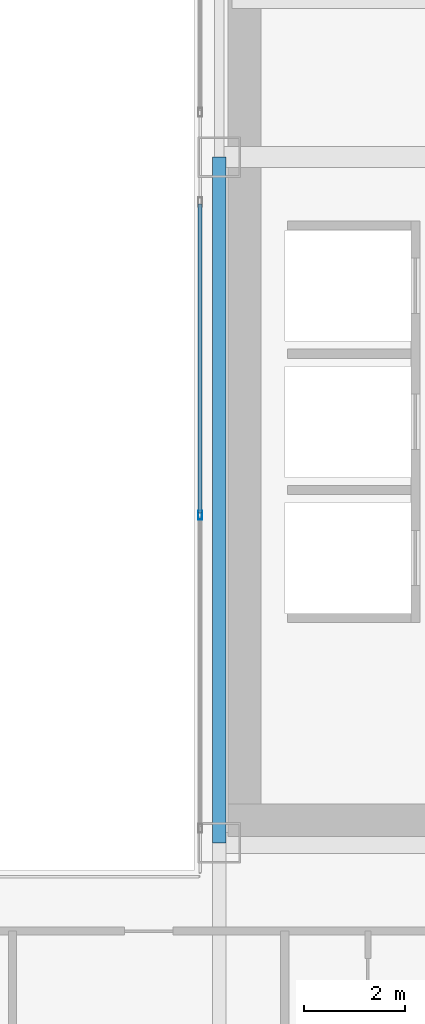
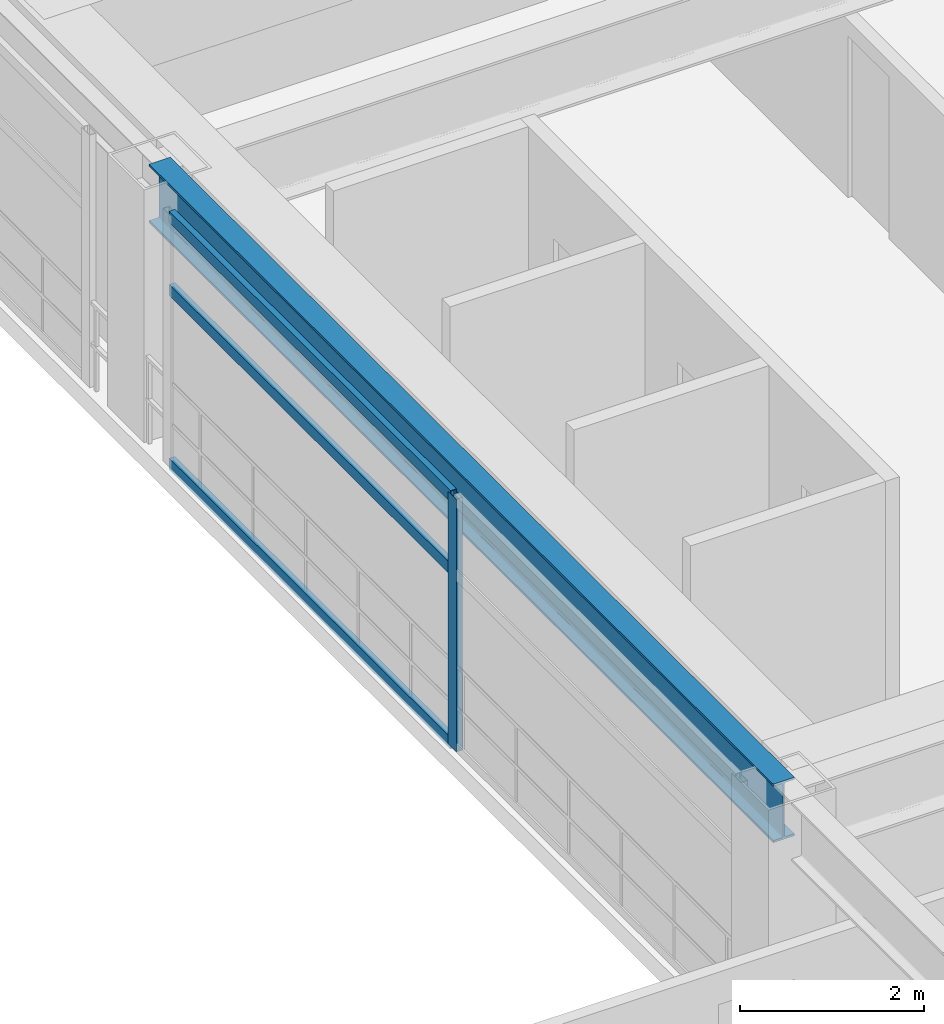
# One storey, part 15 of 39: 4 members, 1 beam, 1 element without a shape of its own.
"""IFC4 building model written with IfcOpenShell, lengths in metres."""

from ifc_helpers import new_model, si_unit, direction, frame, origin, origin_2d, place, context, subcontext, project, spatial, hollow_rectangle, i_section, extrude, source, transform, mapped, material, layer, layer_set, material_profile, profile_set, type_object, element, aggregate, save


model = new_model("IFC4")

# Units and contexts
model_context = context("Model", 3, precision=1e-05, world=origin(), true_north=direction((0.0, 1.0)))
body_context = subcontext(model_context, "Body", "Model", "MODEL_VIEW")
ifc_project = project(units=[si_unit("LENGTHUNIT", "METRE"), si_unit("AREAUNIT", "SQUARE_METRE"), si_unit("VOLUMEUNIT", "CUBIC_METRE"), si_unit("PLANEANGLEUNIT", "RADIAN"), si_unit("MASSUNIT", "GRAM", prefix="KILO")], contexts=[model_context])

# Site, building, storey
site_placement = place(None, origin())
site = spatial("IfcSite", under=ifc_project, at=site_placement, CompositionType="ELEMENT")
building_placement = place(site_placement, origin())
building = spatial("IfcBuilding", under=site, at=building_placement, Name="Ocotamira Hotel", CompositionType="ELEMENT")
storey_placement = place(building_placement, frame((0.0, 0.0, 126.0)))
storey = spatial("IfcBuildingStorey", under=building, at=storey_placement, Name="L31", CompositionType="ELEMENT", Elevation=126.0)

# Beam
ifc_material_1 = material(Name="Steel ASTM A992 Grade 50", Category="steel")
ifc_material_profile_1 = material_profile(ifc_material_1, i_section(OverallWidth=0.26611328125, OverallDepth=0.779052734375, WebThickness=0.0166015625, FlangeThickness=0.030029296875, FilletRadius=0.01806640625, at=origin_2d()), Name="W30X148")
ifc_profile_set_1 = profile_set([ifc_material_profile_1], Name="Steel ASTM A992 Grade 50")
beam_type = type_object("IfcBeamType", Name="BM-GIRD-W30X148", PredefinedType="BEAM", material=ifc_profile_set_1)
shared_shape_1 = source(origin(), body_context, "Body", "SweptSolid", [
    extrude(i_section(OverallWidth=0.26611328125, OverallDepth=0.779052734375, WebThickness=0.0166015625, FlangeThickness=0.030029296875, FilletRadius=0.01806640625, at=origin_2d()), origin(), (0.0, 0.0, 1.0), 13.599853515625),
])
beam_placement = place(storey_placement, frame((40.5, 14.550048828125, 2.970458984375), z_axis=(0.0, 1.0, 0.0), x_axis=(-1.0, 0.0, 0.0)))
element("IfcBeam", 1, at=beam_placement, inside=storey, type_object=beam_type, Name="L31 Beam X40.5 Y14.55-28.15", PredefinedType="BEAM", context=body_context, shape_type="MappedRepresentation", body=[
    mapped(shared_shape_1, transform((0.0, 0.0, 0.0), scale=1.0)),
])

# Curtain wall, members
ifc_material_2 = material(Name="Anodised pale-metal aluminium and solar glass", Category="aluminium")
ifc_layer = layer(ifc_material_2, 0.159912109375)
ifc_layer_set = layer_set([ifc_layer], Name="Anodised pale-metal aluminium and solar glass")
curtain_wall_type = type_object("IfcCurtainWallType", Name="CW-SYS6-ATR", PredefinedType="NOTDEFINED", material=ifc_layer_set)
curtain_wall_placement = place(storey_placement, origin())
curtain_wall = element("IfcCurtainWall", 2, at=curtain_wall_placement, inside=storey, type_object=curtain_wall_type, Name="L31 Curtain Wall CW-6 CW-L31-ATRE1", PredefinedType="NOTDEFINED")
ifc_material_3 = material(Name="Anodised pale-metal aluminium 6063-T6", Category="aluminium")
ifc_material_profile_2 = material_profile(ifc_material_3, hollow_rectangle(XDim=0.074951171875, YDim=0.14990234375, WallThickness=0.006103515625, at=origin_2d()), Name="HSS150X75X6")
ifc_profile_set_2 = profile_set([ifc_material_profile_2], Name="Anodised pale-metal aluminium 6063-T6")
member_type_1 = type_object("IfcMemberType", Name="CWT-150X75", PredefinedType="USERDEFINED", material=ifc_profile_set_2)
shared_shape_2 = source(origin(), body_context, "Body", "SweptSolid", [
    extrude(hollow_rectangle(XDim=0.074951171875, YDim=0.14990234375, WallThickness=0.006103515625, at=origin_2d()), origin(), (0.0, 0.0, 1.0), 6.1298828125),
])
member_1_placement = place(storey_placement, frame((40.1201171875, 21.090087890625, 0.03759765625), z_axis=(0.0, 1.0, 0.0), x_axis=(-1.0, 0.0, 0.0)))
member_1 = element("IfcMember", 3, at=member_1_placement, type_object=member_type_1, Name="CW-6 transom 2.1", ObjectType="TRANSOM", PredefinedType="USERDEFINED", context=body_context, shape_type="MappedRepresentation", body=[
    mapped(shared_shape_2, transform((0.0, 0.0, 0.0), scale=1.0)),
])
member_2_placement = place(storey_placement, frame((40.1201171875, 21.090087890625, 2.35009765625), z_axis=(0.0, 1.0, 0.0), x_axis=(-1.0, 0.0, 0.0)))
member_2 = element("IfcMember", 4, at=member_2_placement, type_object=member_type_1, Name="CW-6 transom 2.2", ObjectType="TRANSOM", PredefinedType="USERDEFINED", context=body_context, shape_type="MappedRepresentation", body=[
    mapped(shared_shape_2, transform((0.0, 0.0, 0.0), scale=1.0)),
])
member_3_placement = place(storey_placement, frame((40.1201171875, 21.090087890625, 3.322509765625), z_axis=(0.0, 1.0, 0.0), x_axis=(-1.0, 0.0, 0.0)))
member_3 = element("IfcMember", 5, at=member_3_placement, type_object=member_type_1, Name="CW-6 transom 2.3", ObjectType="TRANSOM", PredefinedType="USERDEFINED", context=body_context, shape_type="MappedRepresentation", body=[
    mapped(shared_shape_2, transform((0.0, 0.0, 0.0), scale=1.0)),
])
ifc_material_profile_3 = material_profile(ifc_material_3, hollow_rectangle(XDim=0.080078125, YDim=0.179931640625, WallThickness=0.006103515625, at=origin_2d()), Name="HSS180X80X6")
ifc_profile_set_3 = profile_set([ifc_material_profile_3], Name="Anodised pale-metal aluminium 6063-T6")
member_type_2 = type_object("IfcMemberType", Name="CWM-180X75", PredefinedType="MULLION", material=ifc_profile_set_3)
shared_shape_3 = source(origin(), body_context, "Body", "SweptSolid", [
    extrude(hollow_rectangle(XDim=0.080078125, YDim=0.179931640625, WallThickness=0.006103515625, at=origin_2d()), origin(), (0.0, 0.0, 1.0), 3.360107421875),
])
member_4_placement = place(storey_placement, frame((40.1201171875, 21.050048828125, 0.0), z_axis=(0.0, 0.0, 1.0), x_axis=(-1.0, 0.0, 0.0)))
member_4 = element("IfcMember", 6, at=member_4_placement, type_object=member_type_2, Name="CW-6 mullion 2", PredefinedType="MULLION", context=body_context, shape_type="MappedRepresentation", body=[
    mapped(shared_shape_3, transform((0.0, 0.0, 0.0), scale=1.0)),
])
aggregate(curtain_wall, [member_4, member_1, member_2, member_3])

save(model, "model.ifc")
